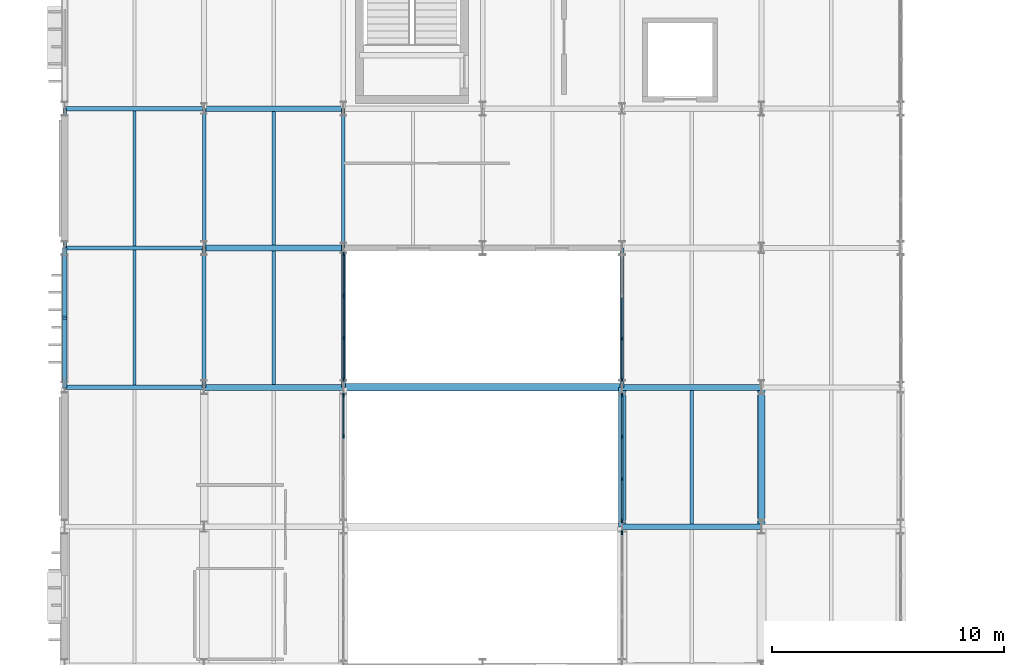
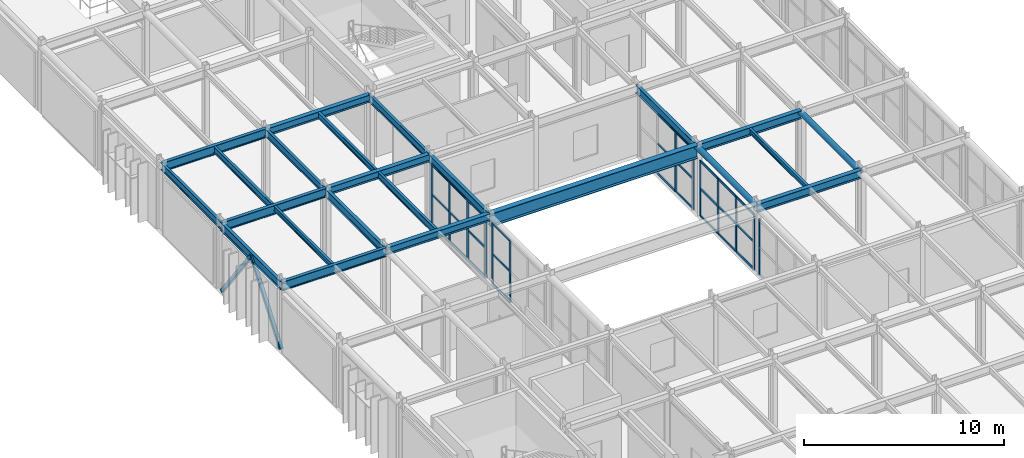
# One storey, part 30 of 96: 42 members, 23 beams, 5 elements without a shape of their own.
"""IFC4 building model written with IfcOpenShell, lengths in metres."""

from ifc_helpers import new_model, si_unit, direction, frame, origin, origin_2d, place, context, subcontext, project, spatial, rectangle, hollow_rectangle, hollow_circle, i_section, extrude, material, material_profile, profile_set, type_object, element, aggregate, save


model = new_model("IFC4")

# Units and contexts
model_context = context("Model", 3, precision=1e-05, world=origin(), true_north=direction((0.0, 1.0)))
body_context = subcontext(model_context, "Body", "Model", "MODEL_VIEW")
ifc_project = project(units=[si_unit("LENGTHUNIT", "METRE"), si_unit("AREAUNIT", "SQUARE_METRE"), si_unit("VOLUMEUNIT", "CUBIC_METRE"), si_unit("PLANEANGLEUNIT", "RADIAN"), si_unit("MASSUNIT", "GRAM", prefix="KILO")], contexts=[model_context])

# Site, building, storey
site_placement = place(None, origin())
site = spatial("IfcSite", under=ifc_project, at=site_placement, CompositionType="ELEMENT")
building_placement = place(site_placement, origin())
building = spatial("IfcBuilding", under=site, at=building_placement, Name="Varnakota Square Police Headquarters", CompositionType="ELEMENT")
storey_placement = place(building_placement, frame((0.0, 0.0, 4.800048828125)))
storey = spatial("IfcBuildingStorey", under=building, at=storey_placement, Name="L01", CompositionType="ELEMENT", Elevation=4.800048828125)

# Beams
ifc_material_1 = material(Name="Steel IS 2062 Grade 350", Category="steel")
ifc_material_profile_1 = material_profile(ifc_material_1, hollow_circle(Radius=0.161865234375, WallThickness=0.0126953125, at=origin_2d()), Name="CHS 323.9x12.7")
ifc_profile_set_1 = profile_set([ifc_material_profile_1], Name="Steel IS 2062 Grade 350")
beam_type_1 = type_object("IfcBeamType", Name="BM-ARC-CHS324", PredefinedType="BEAM", material=ifc_profile_set_1)
for number, where, z_axis, x_axis, name in (
    (1, (30.0, 45.0, 4.0380859375), (0.0, 1.0, 0.0), (-1.0, 0.0, 0.0), "BMG-L01-1594"),
    (2, (36.0, 45.0, 4.0380859375), (0.0, 1.0, 0.0), (-1.0, 0.0, 0.0), "BMG-L01-1608"),
):
    element("IfcBeam", number, at=place(storey_placement, frame(where, z_axis=z_axis, x_axis=x_axis)), inside=storey, type_object=beam_type_1, Name=name, PredefinedType="BEAM", context=body_context, shape_type="SweptSolid", body=[
        extrude(hollow_circle(Radius=0.161865234375, WallThickness=0.0126953125, at=origin_2d()), origin(), (0.0, 0.0, 1.0), 6.0),
    ])
ifc_material_profile_2 = material_profile(ifc_material_1, i_section(OverallWidth=0.320068359375, OverallDepth=0.800048828125, WebThickness=0.01611328125, FlangeThickness=0.028076171875, at=origin_2d()), Name="BPG 800x320")
ifc_profile_set_2 = profile_set([ifc_material_profile_2], Name="Steel IS 2062 Grade 350")
beam_type_2 = type_object("IfcBeamType", Name="BM-BPG800", PredefinedType="BEAM", material=ifc_profile_set_2)
beam_1_placement = place(storey_placement, frame((18.0, 51.0, 3.800048828125), z_axis=(1.0, 0.0, 0.0), x_axis=(0.0, 1.0, 0.0)))
element("IfcBeam", 3, at=beam_1_placement, inside=storey, type_object=beam_type_2, Name="BMG-L01-1403", PredefinedType="BEAM", context=body_context, shape_type="SweptSolid", body=[
    extrude(i_section(OverallWidth=0.320068359375, OverallDepth=0.800048828125, WebThickness=0.01611328125, FlangeThickness=0.028076171875, at=origin_2d()), origin(), (0.0, 0.0, 1.0), 12.0),
])
ifc_material_profile_3 = material_profile(ifc_material_1, i_section(OverallWidth=0.25, OverallDepth=0.449951171875, WebThickness=0.01123046875, FlangeThickness=0.013671875, FilletRadius=0.014892578125, at=origin_2d()), Name="ISHB 450")
ifc_profile_set_3 = profile_set([ifc_material_profile_3], Name="Steel IS 2062 Grade 350")
beam_type_3 = type_object("IfcBeamType", Name="BM-ISHB450", PredefinedType="BEAM", material=ifc_profile_set_3)
for number, where, z_axis, x_axis, name in (
    (4, (12.0, 51.0, 3.974853515625), (1.0, 0.0, 0.0), (0.0, 1.0, 0.0), "BMG-L01-1402"),
    (5, (12.0, 57.0, 3.974853515625), (1.0, 0.0, 0.0), (0.0, 1.0, 0.0), "BMG-L01-1407"),
    (6, (12.0, 63.0, 3.974853515625), (1.0, 0.0, 0.0), (0.0, 1.0, 0.0), "BMG-L01-1413"),
):
    element("IfcBeam", number, at=place(storey_placement, frame(where, z_axis=z_axis, x_axis=x_axis)), inside=storey, type_object=beam_type_3, Name=name, PredefinedType="BEAM", context=body_context, shape_type="SweptSolid", body=[
        extrude(i_section(OverallWidth=0.25, OverallDepth=0.449951171875, WebThickness=0.01123046875, FlangeThickness=0.013671875, FilletRadius=0.014892578125, at=origin_2d()), origin(), (0.0, 0.0, 1.0), 6.0),
    ])
ifc_material_profile_4 = material_profile(ifc_material_1, i_section(OverallWidth=0.139892578125, OverallDepth=0.300048828125, WebThickness=0.0078125, FlangeThickness=0.01318359375, FilletRadius=0.013916015625, at=origin_2d()), Name="ISMB 300")
ifc_profile_set_4 = profile_set([ifc_material_profile_4], Name="Steel IS 2062 Grade 350")
beam_type_4 = type_object("IfcBeamType", Name="BM-ISMB300", PredefinedType="JOIST", material=ifc_profile_set_4)
beam_2_placement = place(storey_placement, frame((9.0, 51.093017578125, 4.050048828125), z_axis=(0.0, 1.0, 0.0), x_axis=(-1.0, 0.0, 0.0)))
element("IfcBeam", 7, at=beam_2_placement, inside=storey, type_object=beam_type_4, Name="BMG-L01-1782", PredefinedType="JOIST", context=body_context, shape_type="SweptSolid", body=[
    extrude(i_section(OverallWidth=0.139892578125, OverallDepth=0.300048828125, WebThickness=0.0078125, FlangeThickness=0.01318359375, FilletRadius=0.013916015625, at=origin_2d()), origin(), (0.0, 0.0, 1.0), 5.81396484375),
])
beam_3_placement = place(storey_placement, frame((33.0, 45.123046875, 4.050048828125), z_axis=(0.0, 1.0, 0.0), x_axis=(-1.0, 0.0, 0.0)))
element("IfcBeam", 8, at=beam_3_placement, inside=storey, type_object=beam_type_4, Name="BMG-L01-1819", PredefinedType="JOIST", context=body_context, shape_type="SweptSolid", body=[
    extrude(i_section(OverallWidth=0.139892578125, OverallDepth=0.300048828125, WebThickness=0.0078125, FlangeThickness=0.01318359375, FilletRadius=0.013916015625, at=origin_2d()), origin(), (0.0, 0.0, 1.0), 5.75390625),
])
ifc_material_profile_5 = material_profile(ifc_material_1, i_section(OverallWidth=0.139892578125, OverallDepth=0.35009765625, WebThickness=0.008056640625, FlangeThickness=0.01416015625, FilletRadius=0.013916015625, at=origin_2d()), Name="ISMB 350")
ifc_profile_set_5 = profile_set([ifc_material_profile_5], Name="Steel IS 2062 Grade 350")
beam_type_5 = type_object("IfcBeamType", Name="BM-ISMB350", PredefinedType="JOIST", material=ifc_profile_set_5)
beam_4_placement = place(storey_placement, frame((15.0, 57.123046875, 4.02490234375), z_axis=(0.0, 1.0, 0.0), x_axis=(-1.0, 0.0, 0.0)))
element("IfcBeam", 9, at=beam_4_placement, inside=storey, type_object=beam_type_5, Name="BMG-L01-1794", PredefinedType="JOIST", context=body_context, shape_type="SweptSolid", body=[
    extrude(i_section(OverallWidth=0.139892578125, OverallDepth=0.35009765625, WebThickness=0.008056640625, FlangeThickness=0.01416015625, FilletRadius=0.013916015625, at=origin_2d()), origin(), (0.0, 0.0, 1.0), 5.75390625),
])
ifc_material_profile_6 = material_profile(ifc_material_1, i_section(OverallWidth=0.139892578125, OverallDepth=0.39990234375, WebThickness=0.0087890625, FlangeThickness=0.01611328125, FilletRadius=0.013916015625, at=origin_2d()), Name="ISMB 400")
ifc_profile_set_6 = profile_set([ifc_material_profile_6], Name="Steel IS 2062 Grade 350")
beam_type_6 = type_object("IfcBeamType", Name="BM-ISMB400", PredefinedType="JOIST", material=ifc_profile_set_6)
beam_5_placement = place(storey_placement, frame((9.0, 57.093017578125, 4.0), z_axis=(0.0, 1.0, 0.0), x_axis=(-1.0, 0.0, 0.0)))
element("IfcBeam", 10, at=beam_5_placement, inside=storey, type_object=beam_type_6, Name="BMG-L01-1783", PredefinedType="JOIST", context=body_context, shape_type="SweptSolid", body=[
    extrude(i_section(OverallWidth=0.139892578125, OverallDepth=0.39990234375, WebThickness=0.0087890625, FlangeThickness=0.01611328125, FilletRadius=0.013916015625, at=origin_2d()), origin(), (0.0, 0.0, 1.0), 5.81396484375),
])
beam_6_placement = place(storey_placement, frame((15.0, 51.123046875, 4.0), z_axis=(0.0, 1.0, 0.0), x_axis=(-1.0, 0.0, 0.0)))
element("IfcBeam", 11, at=beam_6_placement, inside=storey, type_object=beam_type_6, Name="BMG-L01-1793", PredefinedType="JOIST", context=body_context, shape_type="SweptSolid", body=[
    extrude(i_section(OverallWidth=0.139892578125, OverallDepth=0.39990234375, WebThickness=0.0087890625, FlangeThickness=0.01611328125, FilletRadius=0.013916015625, at=origin_2d()), origin(), (0.0, 0.0, 1.0), 5.75390625),
])
ifc_material_profile_7 = material_profile(ifc_material_1, i_section(OverallWidth=0.14990234375, OverallDepth=0.449951171875, WebThickness=0.009521484375, FlangeThickness=0.017333984375, FilletRadius=0.014892578125, at=origin_2d()), Name="ISMB 450")
ifc_profile_set_7 = profile_set([ifc_material_profile_7], Name="Steel IS 2062 Grade 350")
beam_type_7 = type_object("IfcBeamType", Name="BM-ISMB450", PredefinedType="BEAM", material=ifc_profile_set_7)
for number, where, z_axis, x_axis, name in (
    (12, (6.0, 57.0, 3.974853515625), (0.0, 1.0, 0.0), (-1.0, 0.0, 0.0), "BMG-L01-1543"),
    (13, (12.0, 57.0, 3.974853515625), (0.0, 1.0, 0.0), (-1.0, 0.0, 0.0), "BMG-L01-1560"),
    (14, (18.0, 57.0, 3.974853515625), (0.0, 1.0, 0.0), (-1.0, 0.0, 0.0), "BMG-L01-1574"),
):
    element("IfcBeam", number, at=place(storey_placement, frame(where, z_axis=z_axis, x_axis=x_axis)), inside=storey, type_object=beam_type_7, Name=name, PredefinedType="BEAM", context=body_context, shape_type="SweptSolid", body=[
        extrude(i_section(OverallWidth=0.14990234375, OverallDepth=0.449951171875, WebThickness=0.009521484375, FlangeThickness=0.017333984375, FilletRadius=0.014892578125, at=origin_2d()), origin(), (0.0, 0.0, 1.0), 6.0),
    ])
ifc_material_profile_8 = material_profile(ifc_material_1, i_section(OverallWidth=0.179931640625, OverallDepth=0.5, WebThickness=0.01025390625, FlangeThickness=0.01708984375, FilletRadius=0.01708984375, at=origin_2d()), Name="ISMB 500")
ifc_profile_set_8 = profile_set([ifc_material_profile_8], Name="Steel IS 2062 Grade 350")
beam_type_8 = type_object("IfcBeamType", Name="BM-ISMB500", PredefinedType="BEAM", material=ifc_profile_set_8)
for number, where, z_axis, x_axis, name in (
    (15, (6.0, 51.0, 3.949951171875), (0.0, 1.0, 0.0), (-1.0, 0.0, 0.0), "BMG-L01-1542"),
    (16, (12.0, 51.0, 3.949951171875), (0.0, 1.0, 0.0), (-1.0, 0.0, 0.0), "BMG-L01-1559"),
    (17, (18.0, 51.0, 3.949951171875), (0.0, 1.0, 0.0), (-1.0, 0.0, 0.0), "BMG-L01-1573"),
    (18, (30.0, 51.0, 3.949951171875), (0.0, 1.0, 0.0), (-1.0, 0.0, 0.0), "BMG-L01-1595"),
):
    element("IfcBeam", number, at=place(storey_placement, frame(where, z_axis=z_axis, x_axis=x_axis)), inside=storey, type_object=beam_type_8, Name=name, PredefinedType="BEAM", context=body_context, shape_type="SweptSolid", body=[
        extrude(i_section(OverallWidth=0.179931640625, OverallDepth=0.5, WebThickness=0.01025390625, FlangeThickness=0.01708984375, FilletRadius=0.01708984375, at=origin_2d()), origin(), (0.0, 0.0, 1.0), 6.0),
    ])
ifc_material_profile_9 = material_profile(ifc_material_1, i_section(OverallWidth=0.18994140625, OverallDepth=0.550048828125, WebThickness=0.01123046875, FlangeThickness=0.019287109375, FilletRadius=0.01806640625, at=origin_2d()), Name="ISMB 550")
ifc_profile_set_9 = profile_set([ifc_material_profile_9], Name="Steel IS 2062 Grade 350")
beam_type_9 = type_object("IfcBeamType", Name="BM-ISMB550", PredefinedType="BEAM", material=ifc_profile_set_9)
for number, where, z_axis, x_axis, name in (
    (19, (6.0, 51.0, 3.925048828125), (1.0, 0.0, 0.0), (0.0, 1.0, 0.0), "BMG-L01-1401"),
    (20, (6.0, 57.0, 3.925048828125), (1.0, 0.0, 0.0), (0.0, 1.0, 0.0), "BMG-L01-1406"),
    (21, (6.0, 63.0, 3.925048828125), (1.0, 0.0, 0.0), (0.0, 1.0, 0.0), "BMG-L01-1412"),
):
    element("IfcBeam", number, at=place(storey_placement, frame(where, z_axis=z_axis, x_axis=x_axis)), inside=storey, type_object=beam_type_9, Name=name, PredefinedType="BEAM", context=body_context, shape_type="SweptSolid", body=[
        extrude(i_section(OverallWidth=0.18994140625, OverallDepth=0.550048828125, WebThickness=0.01123046875, FlangeThickness=0.019287109375, FilletRadius=0.01806640625, at=origin_2d()), origin(), (0.0, 0.0, 1.0), 6.0),
    ])
ifc_material_profile_10 = material_profile(ifc_material_1, i_section(OverallWidth=0.25, OverallDepth=0.5, WebThickness=0.010009765625, FlangeThickness=0.0146484375, FilletRadius=0.014892578125, at=origin_2d()), Name="ISWB 500")
ifc_profile_set_10 = profile_set([ifc_material_profile_10], Name="Steel IS 2062 Grade 350")
beam_type_10 = type_object("IfcBeamType", Name="BM-ISWB500", PredefinedType="BEAM", material=ifc_profile_set_10)
for number, where, z_axis, x_axis, name in (
    (22, (30.0, 45.0, 3.949951171875), (1.0, 0.0, 0.0), (0.0, 1.0, 0.0), "BMG-L01-1396"),
    (23, (30.0, 51.0, 3.949951171875), (1.0, 0.0, 0.0), (0.0, 1.0, 0.0), "BMG-L01-1404"),
):
    element("IfcBeam", number, at=place(storey_placement, frame(where, z_axis=z_axis, x_axis=x_axis)), inside=storey, type_object=beam_type_10, Name=name, PredefinedType="BEAM", context=body_context, shape_type="SweptSolid", body=[
        extrude(i_section(OverallWidth=0.25, OverallDepth=0.5, WebThickness=0.010009765625, FlangeThickness=0.0146484375, FilletRadius=0.014892578125, at=origin_2d()), origin(), (0.0, 0.0, 1.0), 6.0),
    ])

# Curtain wall, member
ifc_material_2 = material(Name="Anodised Aluminium Framing", Category="aluminium")
curtain_wall_type = type_object("IfcCurtainWallType", Name="CW-SYS-F", PredefinedType="NOTDEFINED", material=ifc_material_2)
curtain_wall_1_placement = place(storey_placement, origin())
curtain_wall_1 = element("IfcCurtainWall", 24, at=curtain_wall_1_placement, inside=storey, type_object=curtain_wall_type, Name="Unitised curtain wall CWG-L01-149", PredefinedType="NOTDEFINED")
ifc_material_3 = material(Name="Anodised Aluminium 6063-T6", Category="aluminium")
ifc_material_profile_11 = material_profile(ifc_material_3, rectangle(XDim=0.06494140625, YDim=0.159912109375, at=origin_2d()), Name="ALU MULLION 65x160")
ifc_profile_set_11 = profile_set([ifc_material_profile_11], Name="Anodised Aluminium 6063-T6")
member_type_1 = type_object("IfcMemberType", Name="CWM-150", PredefinedType="MULLION", material=ifc_profile_set_11)
member_1_placement = place(storey_placement, frame((30.0, 44.737548828125, 0.0), z_axis=(0.0, 0.0, 1.0), x_axis=(-1.0, 0.0, 0.0)))
member_1 = element("IfcMember", 25, at=member_1_placement, type_object=member_type_1, Name="CWG-L01-149 mullion 4", PredefinedType="MULLION", context=body_context, shape_type="SweptSolid", body=[
    extrude(rectangle(XDim=0.06494140625, YDim=0.159912109375, at=origin_2d()), origin(), (0.0, 0.0, 1.0), 3.389892578125),
])
aggregate(curtain_wall_1, [member_1])

# Curtain wall, members
curtain_wall_2_placement = place(storey_placement, origin())
curtain_wall_2 = element("IfcCurtainWall", 26, at=curtain_wall_2_placement, inside=storey, type_object=curtain_wall_type, Name="Unitised curtain wall CWG-L01-150", PredefinedType="NOTDEFINED")
member_2_placement = place(storey_placement, frame((18.0, 48.8984375, 0.0), z_axis=(0.0, 0.0, 1.0), x_axis=(-1.0, 0.0, 0.0)))
member_2 = element("IfcMember", 27, at=member_2_placement, type_object=member_type_1, Name="CWG-L01-150 mullion 3", PredefinedType="MULLION", context=body_context, shape_type="SweptSolid", body=[
    extrude(rectangle(XDim=0.06494140625, YDim=0.159912109375, at=origin_2d()), origin(), (0.0, 0.0, 1.0), 3.783447265625),
])
member_3_placement = place(storey_placement, frame((18.0, 50.66259765625, 0.0), z_axis=(0.0, 0.0, 1.0), x_axis=(-1.0, 0.0, 0.0)))
member_3 = element("IfcMember", 28, at=member_3_placement, type_object=member_type_1, Name="CWG-L01-150 mullion 4", PredefinedType="MULLION", context=body_context, shape_type="SweptSolid", body=[
    extrude(rectangle(XDim=0.06494140625, YDim=0.159912109375, at=origin_2d()), origin(), (0.0, 0.0, 1.0), 3.783447265625),
])

curtain_wall_3_placement = place(storey_placement, origin())
curtain_wall_3 = element("IfcCurtainWall", 29, at=curtain_wall_3_placement, inside=storey, type_object=curtain_wall_type, Name="Unitised curtain wall CWG-L01-151", PredefinedType="NOTDEFINED")
member_4_placement = place(storey_placement, frame((30.0, 45.262451171875, 0.0), z_axis=(0.0, 0.0, 1.0), x_axis=(-1.0, 0.0, 0.0)))
member_4 = element("IfcMember", 30, at=member_4_placement, type_object=member_type_1, Name="CWG-L01-151 mullion 1", PredefinedType="MULLION", context=body_context, shape_type="SweptSolid", body=[
    extrude(rectangle(XDim=0.06494140625, YDim=0.159912109375, at=origin_2d()), origin(), (0.0, 0.0, 1.0), 3.389892578125),
])
member_5_placement = place(storey_placement, frame((30.0, 47.0517578125, 0.0), z_axis=(0.0, 0.0, 1.0), x_axis=(-1.0, 0.0, 0.0)))
member_5 = element("IfcMember", 31, at=member_5_placement, type_object=member_type_1, Name="CWG-L01-151 mullion 2", PredefinedType="MULLION", context=body_context, shape_type="SweptSolid", body=[
    extrude(rectangle(XDim=0.06494140625, YDim=0.159912109375, at=origin_2d()), origin(), (0.0, 0.0, 1.0), 3.389892578125),
])
member_6_placement = place(storey_placement, frame((30.0, 48.873291015625, 0.0), z_axis=(0.0, 0.0, 1.0), x_axis=(-1.0, 0.0, 0.0)))
member_6 = element("IfcMember", 32, at=member_6_placement, type_object=member_type_1, Name="CWG-L01-151 mullion 3", PredefinedType="MULLION", context=body_context, shape_type="SweptSolid", body=[
    extrude(rectangle(XDim=0.06494140625, YDim=0.159912109375, at=origin_2d()), origin(), (0.0, 0.0, 1.0), 3.389892578125),
])
member_7_placement = place(storey_placement, frame((30.0, 50.66259765625, 0.0), z_axis=(0.0, 0.0, 1.0), x_axis=(-1.0, 0.0, 0.0)))
member_7 = element("IfcMember", 33, at=member_7_placement, type_object=member_type_1, Name="CWG-L01-151 mullion 4", PredefinedType="MULLION", context=body_context, shape_type="SweptSolid", body=[
    extrude(rectangle(XDim=0.06494140625, YDim=0.159912109375, at=origin_2d()), origin(), (0.0, 0.0, 1.0), 3.389892578125),
])

curtain_wall_4_placement = place(storey_placement, origin())
curtain_wall_4 = element("IfcCurtainWall", 34, at=curtain_wall_4_placement, inside=storey, type_object=curtain_wall_type, Name="Unitised curtain wall CWG-L01-152", PredefinedType="NOTDEFINED")
member_8_placement = place(storey_placement, frame((18.0, 51.33740234375, 0.0), z_axis=(0.0, 0.0, 1.0), x_axis=(-1.0, 0.0, 0.0)))
member_8 = element("IfcMember", 35, at=member_8_placement, type_object=member_type_1, Name="CWG-L01-152 mullion 1", PredefinedType="MULLION", context=body_context, shape_type="SweptSolid", body=[
    extrude(rectangle(XDim=0.06494140625, YDim=0.159912109375, at=origin_2d()), origin(), (0.0, 0.0, 1.0), 3.68994140625),
])
member_9_placement = place(storey_placement, frame((18.0, 53.126708984375, 0.0), z_axis=(0.0, 0.0, 1.0), x_axis=(-1.0, 0.0, 0.0)))
member_9 = element("IfcMember", 36, at=member_9_placement, type_object=member_type_1, Name="CWG-L01-152 mullion 2", PredefinedType="MULLION", context=body_context, shape_type="SweptSolid", body=[
    extrude(rectangle(XDim=0.06494140625, YDim=0.159912109375, at=origin_2d()), origin(), (0.0, 0.0, 1.0), 3.68994140625),
])
member_10_placement = place(storey_placement, frame((18.0, 54.9482421875, 0.0), z_axis=(0.0, 0.0, 1.0), x_axis=(-1.0, 0.0, 0.0)))
member_10 = element("IfcMember", 37, at=member_10_placement, type_object=member_type_1, Name="CWG-L01-152 mullion 3", PredefinedType="MULLION", context=body_context, shape_type="SweptSolid", body=[
    extrude(rectangle(XDim=0.06494140625, YDim=0.159912109375, at=origin_2d()), origin(), (0.0, 0.0, 1.0), 3.68994140625),
])
member_11_placement = place(storey_placement, frame((18.0, 56.737548828125, 0.0), z_axis=(0.0, 0.0, 1.0), x_axis=(-1.0, 0.0, 0.0)))
member_11 = element("IfcMember", 38, at=member_11_placement, type_object=member_type_1, Name="CWG-L01-152 mullion 4", PredefinedType="MULLION", context=body_context, shape_type="SweptSolid", body=[
    extrude(rectangle(XDim=0.06494140625, YDim=0.159912109375, at=origin_2d()), origin(), (0.0, 0.0, 1.0), 3.68994140625),
])

curtain_wall_5_placement = place(storey_placement, origin())
curtain_wall_5 = element("IfcCurtainWall", 39, at=curtain_wall_5_placement, inside=storey, type_object=curtain_wall_type, Name="Unitised curtain wall CWG-L01-153", PredefinedType="NOTDEFINED")
member_12_placement = place(storey_placement, frame((30.0, 51.33740234375, 0.0), z_axis=(0.0, 0.0, 1.0), x_axis=(-1.0, 0.0, 0.0)))
member_12 = element("IfcMember", 40, at=member_12_placement, type_object=member_type_1, Name="CWG-L01-153 mullion 1", PredefinedType="MULLION", context=body_context, shape_type="SweptSolid", body=[
    extrude(rectangle(XDim=0.06494140625, YDim=0.159912109375, at=origin_2d()), origin(), (0.0, 0.0, 1.0), 3.68994140625),
])
member_13_placement = place(storey_placement, frame((30.0, 53.1015625, 0.0), z_axis=(0.0, 0.0, 1.0), x_axis=(-1.0, 0.0, 0.0)))
member_13 = element("IfcMember", 41, at=member_13_placement, type_object=member_type_1, Name="CWG-L01-153 mullion 2", PredefinedType="MULLION", context=body_context, shape_type="SweptSolid", body=[
    extrude(rectangle(XDim=0.06494140625, YDim=0.159912109375, at=origin_2d()), origin(), (0.0, 0.0, 1.0), 3.68994140625),
])

# Member
ifc_material_profile_12 = material_profile(ifc_material_3, rectangle(XDim=0.06494140625, YDim=0.1298828125, at=origin_2d()), Name="ALU TRANSOM 65x130")
ifc_profile_set_12 = profile_set([ifc_material_profile_12], Name="Anodised Aluminium 6063-T6")
member_type_2 = type_object("IfcMemberType", Name="CWT-120", PredefinedType="USERDEFINED", material=ifc_profile_set_12)
member_14_placement = place(storey_placement, frame((18.0, 48.930908203125, 0.032470703125), z_axis=(0.0, 1.0, 0.0), x_axis=(-1.0, 0.0, 0.0)))
member_14 = element("IfcMember", 42, at=member_14_placement, type_object=member_type_2, Name="CWG-L01-150 transom 3.1", ObjectType="TRANSOM", PredefinedType="USERDEFINED", context=body_context, shape_type="SweptSolid", body=[
    extrude(rectangle(XDim=0.06494140625, YDim=0.1298828125, at=origin_2d()), origin(), (0.0, 0.0, 1.0), 1.698974609375),
])

member_15_placement = place(storey_placement, frame((18.0, 48.930908203125, 1.891845703125), z_axis=(0.0, 1.0, 0.0), x_axis=(-1.0, 0.0, 0.0)))
member_15 = element("IfcMember", 43, at=member_15_placement, type_object=member_type_2, Name="CWG-L01-150 transom 3.2", ObjectType="TRANSOM", PredefinedType="USERDEFINED", context=body_context, shape_type="SweptSolid", body=[
    extrude(rectangle(XDim=0.06494140625, YDim=0.1298828125, at=origin_2d()), origin(), (0.0, 0.0, 1.0), 1.698974609375),
])

member_16_placement = place(storey_placement, frame((18.0, 48.930908203125, 3.7509765625), z_axis=(0.0, 1.0, 0.0), x_axis=(-1.0, 0.0, 0.0)))
member_16 = element("IfcMember", 44, at=member_16_placement, type_object=member_type_2, Name="CWG-L01-150 transom 3.3", ObjectType="TRANSOM", PredefinedType="USERDEFINED", context=body_context, shape_type="SweptSolid", body=[
    extrude(rectangle(XDim=0.06494140625, YDim=0.1298828125, at=origin_2d()), origin(), (0.0, 0.0, 1.0), 1.698974609375),
])

aggregate(curtain_wall_2, [member_2, member_3, member_14, member_15, member_16])

member_17_placement = place(storey_placement, frame((30.0, 45.294921875, 0.032470703125), z_axis=(0.0, 1.0, 0.0), x_axis=(-1.0, 0.0, 0.0)))
member_17 = element("IfcMember", 45, at=member_17_placement, type_object=member_type_2, Name="CWG-L01-151 transom 1.1", ObjectType="TRANSOM", PredefinedType="USERDEFINED", context=body_context, shape_type="SweptSolid", body=[
    extrude(rectangle(XDim=0.06494140625, YDim=0.1298828125, at=origin_2d()), origin(), (0.0, 0.0, 1.0), 1.724365234375),
])

member_18_placement = place(storey_placement, frame((30.0, 45.294921875, 1.695068359375), z_axis=(0.0, 1.0, 0.0), x_axis=(-1.0, 0.0, 0.0)))
member_18 = element("IfcMember", 46, at=member_18_placement, type_object=member_type_2, Name="CWG-L01-151 transom 1.2", ObjectType="TRANSOM", PredefinedType="USERDEFINED", context=body_context, shape_type="SweptSolid", body=[
    extrude(rectangle(XDim=0.06494140625, YDim=0.1298828125, at=origin_2d()), origin(), (0.0, 0.0, 1.0), 1.724365234375),
])

member_19_placement = place(storey_placement, frame((30.0, 45.294921875, 3.357421875), z_axis=(0.0, 1.0, 0.0), x_axis=(-1.0, 0.0, 0.0)))
member_19 = element("IfcMember", 47, at=member_19_placement, type_object=member_type_2, Name="CWG-L01-151 transom 1.3", ObjectType="TRANSOM", PredefinedType="USERDEFINED", context=body_context, shape_type="SweptSolid", body=[
    extrude(rectangle(XDim=0.06494140625, YDim=0.1298828125, at=origin_2d()), origin(), (0.0, 0.0, 1.0), 1.724365234375),
])

member_20_placement = place(storey_placement, frame((30.0, 47.084228515625, 0.032470703125), z_axis=(0.0, 1.0, 0.0), x_axis=(-1.0, 0.0, 0.0)))
member_20 = element("IfcMember", 48, at=member_20_placement, type_object=member_type_2, Name="CWG-L01-151 transom 2.1", ObjectType="TRANSOM", PredefinedType="USERDEFINED", context=body_context, shape_type="SweptSolid", body=[
    extrude(rectangle(XDim=0.06494140625, YDim=0.1298828125, at=origin_2d()), origin(), (0.0, 0.0, 1.0), 1.756591796875),
])

member_21_placement = place(storey_placement, frame((30.0, 47.084228515625, 1.695068359375), z_axis=(0.0, 1.0, 0.0), x_axis=(-1.0, 0.0, 0.0)))
member_21 = element("IfcMember", 49, at=member_21_placement, type_object=member_type_2, Name="CWG-L01-151 transom 2.2", ObjectType="TRANSOM", PredefinedType="USERDEFINED", context=body_context, shape_type="SweptSolid", body=[
    extrude(rectangle(XDim=0.06494140625, YDim=0.1298828125, at=origin_2d()), origin(), (0.0, 0.0, 1.0), 1.756591796875),
])

member_22_placement = place(storey_placement, frame((30.0, 47.084228515625, 3.357421875), z_axis=(0.0, 1.0, 0.0), x_axis=(-1.0, 0.0, 0.0)))
member_22 = element("IfcMember", 50, at=member_22_placement, type_object=member_type_2, Name="CWG-L01-151 transom 2.3", ObjectType="TRANSOM", PredefinedType="USERDEFINED", context=body_context, shape_type="SweptSolid", body=[
    extrude(rectangle(XDim=0.06494140625, YDim=0.1298828125, at=origin_2d()), origin(), (0.0, 0.0, 1.0), 1.756591796875),
])

member_23_placement = place(storey_placement, frame((30.0, 48.90576171875, 0.032470703125), z_axis=(0.0, 1.0, 0.0), x_axis=(-1.0, 0.0, 0.0)))
member_23 = element("IfcMember", 51, at=member_23_placement, type_object=member_type_2, Name="CWG-L01-151 transom 3.1", ObjectType="TRANSOM", PredefinedType="USERDEFINED", context=body_context, shape_type="SweptSolid", body=[
    extrude(rectangle(XDim=0.06494140625, YDim=0.1298828125, at=origin_2d()), origin(), (0.0, 0.0, 1.0), 1.72412109375),
])

member_24_placement = place(storey_placement, frame((30.0, 48.90576171875, 1.695068359375), z_axis=(0.0, 1.0, 0.0), x_axis=(-1.0, 0.0, 0.0)))
member_24 = element("IfcMember", 52, at=member_24_placement, type_object=member_type_2, Name="CWG-L01-151 transom 3.2", ObjectType="TRANSOM", PredefinedType="USERDEFINED", context=body_context, shape_type="SweptSolid", body=[
    extrude(rectangle(XDim=0.06494140625, YDim=0.1298828125, at=origin_2d()), origin(), (0.0, 0.0, 1.0), 1.72412109375),
])

member_25_placement = place(storey_placement, frame((30.0, 48.90576171875, 3.357421875), z_axis=(0.0, 1.0, 0.0), x_axis=(-1.0, 0.0, 0.0)))
member_25 = element("IfcMember", 53, at=member_25_placement, type_object=member_type_2, Name="CWG-L01-151 transom 3.3", ObjectType="TRANSOM", PredefinedType="USERDEFINED", context=body_context, shape_type="SweptSolid", body=[
    extrude(rectangle(XDim=0.06494140625, YDim=0.1298828125, at=origin_2d()), origin(), (0.0, 0.0, 1.0), 1.72412109375),
])

aggregate(curtain_wall_3, [member_4, member_5, member_6, member_7, member_17, member_18, member_19, member_20, member_21, member_22, member_23, member_24, member_25])

member_26_placement = place(storey_placement, frame((18.0, 51.3701171875, 0.032470703125), z_axis=(0.0, 1.0, 0.0), x_axis=(-1.0, 0.0, 0.0)))
member_26 = element("IfcMember", 54, at=member_26_placement, type_object=member_type_2, Name="CWG-L01-152 transom 1.1", ObjectType="TRANSOM", PredefinedType="USERDEFINED", context=body_context, shape_type="SweptSolid", body=[
    extrude(rectangle(XDim=0.06494140625, YDim=0.1298828125, at=origin_2d()), origin(), (0.0, 0.0, 1.0), 1.72412109375),
])

member_27_placement = place(storey_placement, frame((18.0, 51.3701171875, 1.844970703125), z_axis=(0.0, 1.0, 0.0), x_axis=(-1.0, 0.0, 0.0)))
member_27 = element("IfcMember", 55, at=member_27_placement, type_object=member_type_2, Name="CWG-L01-152 transom 1.2", ObjectType="TRANSOM", PredefinedType="USERDEFINED", context=body_context, shape_type="SweptSolid", body=[
    extrude(rectangle(XDim=0.06494140625, YDim=0.1298828125, at=origin_2d()), origin(), (0.0, 0.0, 1.0), 1.72412109375),
])

member_28_placement = place(storey_placement, frame((18.0, 51.3701171875, 3.657470703125), z_axis=(0.0, 1.0, 0.0), x_axis=(-1.0, 0.0, 0.0)))
member_28 = element("IfcMember", 56, at=member_28_placement, type_object=member_type_2, Name="CWG-L01-152 transom 1.3", ObjectType="TRANSOM", PredefinedType="USERDEFINED", context=body_context, shape_type="SweptSolid", body=[
    extrude(rectangle(XDim=0.06494140625, YDim=0.1298828125, at=origin_2d()), origin(), (0.0, 0.0, 1.0), 1.72412109375),
])

member_29_placement = place(storey_placement, frame((18.0, 53.1591796875, 0.032470703125), z_axis=(0.0, 1.0, 0.0), x_axis=(-1.0, 0.0, 0.0)))
member_29 = element("IfcMember", 57, at=member_29_placement, type_object=member_type_2, Name="CWG-L01-152 transom 2.1", ObjectType="TRANSOM", PredefinedType="USERDEFINED", context=body_context, shape_type="SweptSolid", body=[
    extrude(rectangle(XDim=0.06494140625, YDim=0.1298828125, at=origin_2d()), origin(), (0.0, 0.0, 1.0), 1.756591796875),
])

member_30_placement = place(storey_placement, frame((18.0, 53.1591796875, 1.844970703125), z_axis=(0.0, 1.0, 0.0), x_axis=(-1.0, 0.0, 0.0)))
member_30 = element("IfcMember", 58, at=member_30_placement, type_object=member_type_2, Name="CWG-L01-152 transom 2.2", ObjectType="TRANSOM", PredefinedType="USERDEFINED", context=body_context, shape_type="SweptSolid", body=[
    extrude(rectangle(XDim=0.06494140625, YDim=0.1298828125, at=origin_2d()), origin(), (0.0, 0.0, 1.0), 1.756591796875),
])

member_31_placement = place(storey_placement, frame((18.0, 53.1591796875, 3.657470703125), z_axis=(0.0, 1.0, 0.0), x_axis=(-1.0, 0.0, 0.0)))
member_31 = element("IfcMember", 59, at=member_31_placement, type_object=member_type_2, Name="CWG-L01-152 transom 2.3", ObjectType="TRANSOM", PredefinedType="USERDEFINED", context=body_context, shape_type="SweptSolid", body=[
    extrude(rectangle(XDim=0.06494140625, YDim=0.1298828125, at=origin_2d()), origin(), (0.0, 0.0, 1.0), 1.756591796875),
])

member_32_placement = place(storey_placement, frame((18.0, 54.980712890625, 0.032470703125), z_axis=(0.0, 1.0, 0.0), x_axis=(-1.0, 0.0, 0.0)))
member_32 = element("IfcMember", 60, at=member_32_placement, type_object=member_type_2, Name="CWG-L01-152 transom 3.1", ObjectType="TRANSOM", PredefinedType="USERDEFINED", context=body_context, shape_type="SweptSolid", body=[
    extrude(rectangle(XDim=0.06494140625, YDim=0.1298828125, at=origin_2d()), origin(), (0.0, 0.0, 1.0), 1.724365234375),
])

member_33_placement = place(storey_placement, frame((18.0, 54.980712890625, 1.844970703125), z_axis=(0.0, 1.0, 0.0), x_axis=(-1.0, 0.0, 0.0)))
member_33 = element("IfcMember", 61, at=member_33_placement, type_object=member_type_2, Name="CWG-L01-152 transom 3.2", ObjectType="TRANSOM", PredefinedType="USERDEFINED", context=body_context, shape_type="SweptSolid", body=[
    extrude(rectangle(XDim=0.06494140625, YDim=0.1298828125, at=origin_2d()), origin(), (0.0, 0.0, 1.0), 1.724365234375),
])

member_34_placement = place(storey_placement, frame((18.0, 54.980712890625, 3.657470703125), z_axis=(0.0, 1.0, 0.0), x_axis=(-1.0, 0.0, 0.0)))
member_34 = element("IfcMember", 62, at=member_34_placement, type_object=member_type_2, Name="CWG-L01-152 transom 3.3", ObjectType="TRANSOM", PredefinedType="USERDEFINED", context=body_context, shape_type="SweptSolid", body=[
    extrude(rectangle(XDim=0.06494140625, YDim=0.1298828125, at=origin_2d()), origin(), (0.0, 0.0, 1.0), 1.724365234375),
])

aggregate(curtain_wall_4, [member_8, member_9, member_10, member_11, member_26, member_27, member_28, member_29, member_30, member_31, member_32, member_33, member_34])

member_35_placement = place(storey_placement, frame((30.0, 51.3701171875, 0.032470703125), z_axis=(0.0, 1.0, 0.0), x_axis=(-1.0, 0.0, 0.0)))
member_35 = element("IfcMember", 63, at=member_35_placement, type_object=member_type_2, Name="CWG-L01-153 transom 1.1", ObjectType="TRANSOM", PredefinedType="USERDEFINED", context=body_context, shape_type="SweptSolid", body=[
    extrude(rectangle(XDim=0.06494140625, YDim=0.1298828125, at=origin_2d()), origin(), (0.0, 0.0, 1.0), 1.698974609375),
])

member_36_placement = place(storey_placement, frame((30.0, 51.3701171875, 1.844970703125), z_axis=(0.0, 1.0, 0.0), x_axis=(-1.0, 0.0, 0.0)))
member_36 = element("IfcMember", 64, at=member_36_placement, type_object=member_type_2, Name="CWG-L01-153 transom 1.2", ObjectType="TRANSOM", PredefinedType="USERDEFINED", context=body_context, shape_type="SweptSolid", body=[
    extrude(rectangle(XDim=0.06494140625, YDim=0.1298828125, at=origin_2d()), origin(), (0.0, 0.0, 1.0), 1.698974609375),
])

member_37_placement = place(storey_placement, frame((30.0, 51.3701171875, 3.657470703125), z_axis=(0.0, 1.0, 0.0), x_axis=(-1.0, 0.0, 0.0)))
member_37 = element("IfcMember", 65, at=member_37_placement, type_object=member_type_2, Name="CWG-L01-153 transom 1.3", ObjectType="TRANSOM", PredefinedType="USERDEFINED", context=body_context, shape_type="SweptSolid", body=[
    extrude(rectangle(XDim=0.06494140625, YDim=0.1298828125, at=origin_2d()), origin(), (0.0, 0.0, 1.0), 1.698974609375),
])

member_38_placement = place(storey_placement, frame((30.0, 53.13427734375, 0.032470703125), z_axis=(0.0, 1.0, 0.0), x_axis=(-1.0, 0.0, 0.0)))
member_38 = element("IfcMember", 66, at=member_38_placement, type_object=member_type_2, Name="CWG-L01-153 transom 2.1", ObjectType="TRANSOM", PredefinedType="USERDEFINED", context=body_context, shape_type="SweptSolid", body=[
    extrude(rectangle(XDim=0.06494140625, YDim=0.1298828125, at=origin_2d()), origin(), (0.0, 0.0, 1.0), 1.7314453125),
])

member_39_placement = place(storey_placement, frame((30.0, 53.13427734375, 1.844970703125), z_axis=(0.0, 1.0, 0.0), x_axis=(-1.0, 0.0, 0.0)))
member_39 = element("IfcMember", 67, at=member_39_placement, type_object=member_type_2, Name="CWG-L01-153 transom 2.2", ObjectType="TRANSOM", PredefinedType="USERDEFINED", context=body_context, shape_type="SweptSolid", body=[
    extrude(rectangle(XDim=0.06494140625, YDim=0.1298828125, at=origin_2d()), origin(), (0.0, 0.0, 1.0), 1.7314453125),
])

member_40_placement = place(storey_placement, frame((30.0, 53.13427734375, 3.657470703125), z_axis=(0.0, 1.0, 0.0), x_axis=(-1.0, 0.0, 0.0)))
member_40 = element("IfcMember", 68, at=member_40_placement, type_object=member_type_2, Name="CWG-L01-153 transom 2.3", ObjectType="TRANSOM", PredefinedType="USERDEFINED", context=body_context, shape_type="SweptSolid", body=[
    extrude(rectangle(XDim=0.06494140625, YDim=0.1298828125, at=origin_2d()), origin(), (0.0, 0.0, 1.0), 1.7314453125),
])

aggregate(curtain_wall_5, [member_12, member_13, member_35, member_36, member_37, member_38, member_39, member_40])

# Members
ifc_material_profile_13 = material_profile(ifc_material_1, hollow_rectangle(XDim=0.199951171875, YDim=0.199951171875, WallThickness=0.010009765625, InnerFilletRadius=0.010009765625, OuterFilletRadius=0.02001953125, at=origin_2d()), Name="SHS 200x200x10")
ifc_profile_set_13 = profile_set([ifc_material_profile_13], Name="Steel IS 2062 Grade 350")
member_type_3 = type_object("IfcMemberType", Name="MEM-BR-SHS200", PredefinedType="BRACE", material=ifc_profile_set_13)
for number, where, z_axis, x_axis, name in (
    (69, (6.0, 51.050048828125, 0.02001953125), (0.0, 0.600325874044, 0.79975549073), (-1.0, 0.0, 0.0), "Lateral brace BF4 L01 left"),
    (70, (6.0, 56.949951171875, 0.02001953125), (0.0, -0.600325874044, 0.79975549073), (1.0, 0.0, 0.0), "Lateral brace BF4 L01 right"),
):
    element("IfcMember", number, at=place(storey_placement, frame(where, z_axis=z_axis, x_axis=x_axis)), inside=storey, type_object=member_type_3, Name=name, PredefinedType="BRACE", context=body_context, shape_type="SweptSolid", body=[
        extrude(hollow_rectangle(XDim=0.199951171875, YDim=0.199951171875, WallThickness=0.010009765625, InnerFilletRadius=0.010009765625, OuterFilletRadius=0.02001953125, at=origin_2d()), origin(), (0.0, 0.0, 1.0), 4.913818359375),
    ])

save(model, "model.ifc")
